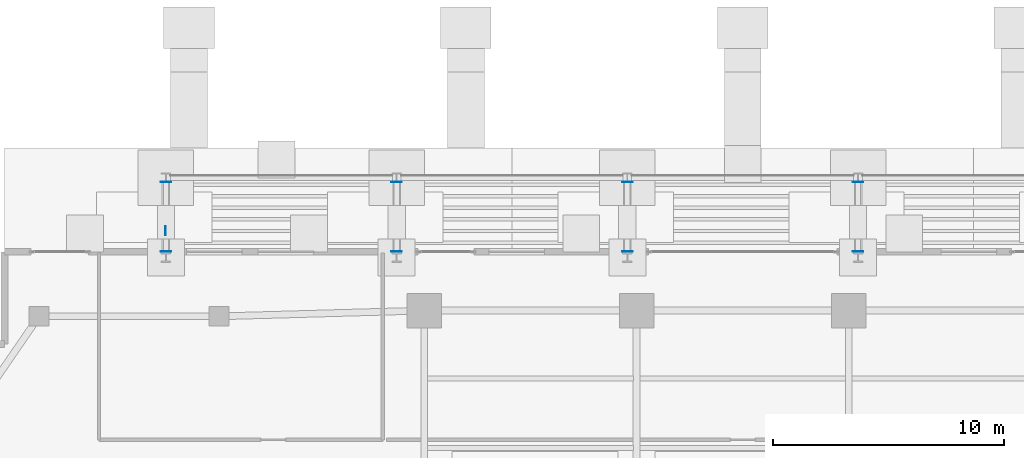
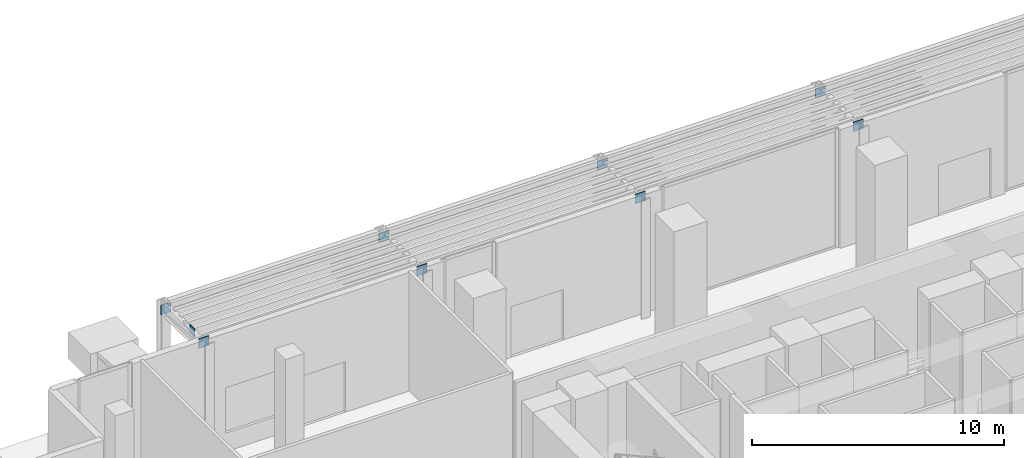
# One storey, part 26 of 39: 9 plates.
"""IFC4 building model written with IfcOpenShell, lengths in metres."""

from ifc_helpers import new_model, si_unit, direction, frame, origin, origin_2d, place, context, subcontext, project, spatial, rectangle, extrude, material, layer, layer_set, type_object, element, save


model = new_model("IFC4")

# Units and contexts
model_context = context("Model", 3, precision=1e-05, world=origin(), true_north=direction((0.0, 1.0)))
body_context = subcontext(model_context, "Body", "Model", "MODEL_VIEW")
ifc_project = project(units=[si_unit("LENGTHUNIT", "METRE"), si_unit("AREAUNIT", "SQUARE_METRE"), si_unit("VOLUMEUNIT", "CUBIC_METRE"), si_unit("PLANEANGLEUNIT", "RADIAN"), si_unit("MASSUNIT", "GRAM", prefix="KILO")], contexts=[model_context])

# Site, building, storey
site_placement = place(None, origin())
site = spatial("IfcSite", under=ifc_project, at=site_placement, CompositionType="ELEMENT")
building_placement = place(site_placement, origin())
building = spatial("IfcBuilding", under=site, at=building_placement, Name="Zuhayl Quay Hotel", CompositionType="ELEMENT")
storey_placement = place(building_placement, origin())
storey = spatial("IfcBuildingStorey", under=building, at=storey_placement, Name="L00", CompositionType="ELEMENT", Elevation=0.0)

# Plates
ifc_material = material(Name="Steel ASTM A572 Grade 50", Category="steel")
ifc_layer = layer(ifc_material, 0.030029296875, Name="Steel ASTM A572 Grade 50", Category="steel")
ifc_layer_set = layer_set([ifc_layer], Name="Steel ASTM A572 Grade 50")
plate_type = type_object("IfcPlateType", Name="TP_CAP_PLATE_30", PredefinedType="USERDEFINED", material=ifc_layer_set)
for number, where, z_axis, x_axis, name in (
    (1, (-25.0, 25.008056640625, 5.31884765625), (0.0, 0.0, 1.0), (0.0, -1.0, 0.0), "Truss Node Cap Assembly KN2"),
    (2, (-25.0, 28.02197265625, 5.1171875), (0.0, 0.0, 1.0), (0.0, 1.0, 0.0), "Truss Node Cap Assembly KN2"),
    (3, (-15.0, 25.008056640625, 5.31884765625), (0.0, 0.0, 1.0), (0.0, -1.0, 0.0), "Truss Node Cap Assembly KN2"),
    (4, (-15.0, 28.02197265625, 5.1171875), (0.0, 0.0, 1.0), (0.0, 1.0, 0.0), "Truss Node Cap Assembly KN2"),
    (5, (-5.0, 25.008056640625, 5.31884765625), (0.0, 0.0, 1.0), (0.0, -1.0, 0.0), "Truss Node Cap Assembly KN2"),
    (6, (-5.0, 28.02197265625, 5.1171875), (0.0, 0.0, 1.0), (0.0, 1.0, 0.0), "Truss Node Cap Assembly KN2"),
    (7, (5.0, 25.008056640625, 5.31884765625), (0.0, 0.0, 1.0), (0.0, -1.0, 0.0), "Truss Node Cap Assembly KN2"),
    (8, (5.0, 28.02197265625, 5.1171875), (0.0, 0.0, 1.0), (0.0, 1.0, 0.0), "Truss Node Cap Assembly KN2"),
):
    element("IfcPlate", number, at=place(storey_placement, frame(where, z_axis=z_axis, x_axis=x_axis)), inside=storey, type_object=plate_type, Name=name, ObjectType="GUSSET PLATE", PredefinedType="USERDEFINED", context=body_context, shape_type="SweptSolid", body=[
        extrude(rectangle(XDim=0.030029296875, YDim=0.4638671875, at=origin_2d()), origin(), (0.0, 0.0, 1.0), 0.4638671875),
    ])
plate_placement = place(storey_placement, frame((-25.011962890625, 25.89990234375, 5.365234375), z_axis=(0.0, 0.0, 1.0), x_axis=(-1.0, 0.0, 0.0)))
element("IfcPlate", 9, at=plate_placement, inside=storey, type_object=plate_type, Name="Truss Node Cap Assembly KN2", ObjectType="GUSSET PLATE", PredefinedType="USERDEFINED", context=body_context, shape_type="SweptSolid", body=[
    extrude(rectangle(XDim=0.030029296875, YDim=0.389892578125, at=origin_2d()), origin(), (0.0, 0.0, 1.0), 0.389892578125),
])

save(model, "model.ifc")
